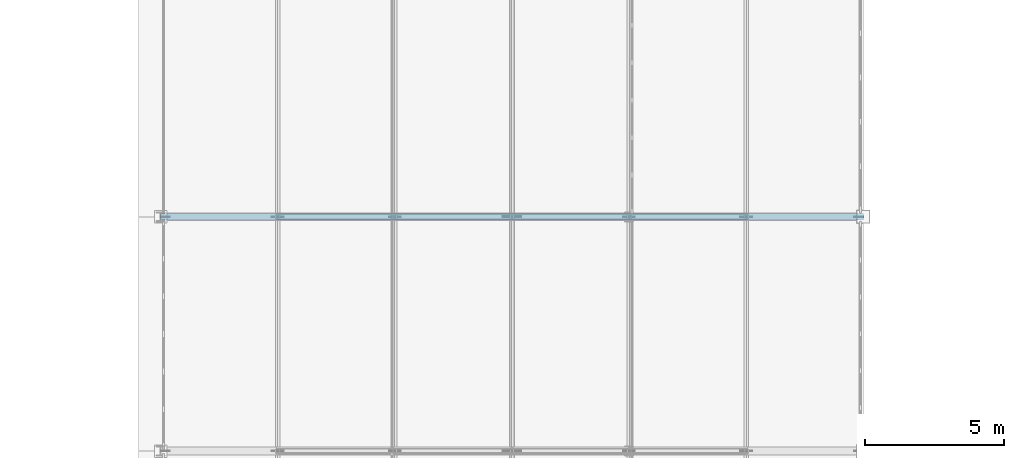
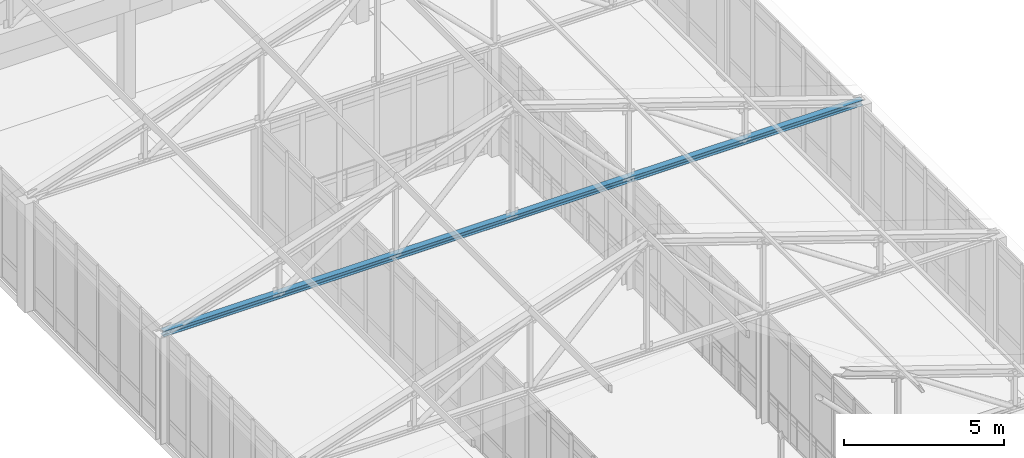
# One storey, part 76 of 192: 1 member.
"""IFC4 building model written with IfcOpenShell, lengths in metres."""

from ifc_helpers import new_model, si_unit, direction, frame, origin, origin_2d, place, context, subcontext, project, spatial, i_section, extrude, material, material_profile, profile_set, type_object, element, save


model = new_model("IFC4")

# Units and contexts
model_context = context("Model", 3, precision=1e-05, world=origin(), true_north=direction((0.0, 1.0)))
body_context = subcontext(model_context, "Body", "Model", "MODEL_VIEW")
ifc_project = project(units=[si_unit("LENGTHUNIT", "METRE"), si_unit("AREAUNIT", "SQUARE_METRE"), si_unit("VOLUMEUNIT", "CUBIC_METRE"), si_unit("PLANEANGLEUNIT", "RADIAN"), si_unit("MASSUNIT", "GRAM", prefix="KILO")], contexts=[model_context])

# Site, building, storey
site_placement = place(None, origin())
site = spatial("IfcSite", under=ifc_project, at=site_placement, CompositionType="ELEMENT")
building_placement = place(site_placement, origin())
building = spatial("IfcBuilding", under=site, at=building_placement, Name="Kveldsbrygga Polytechnic", CompositionType="ELEMENT")
storey_placement = place(building_placement, frame((0.0, 0.0, 5.43994140625)))
storey = spatial("IfcBuildingStorey", under=building, at=storey_placement, Name="L01", CompositionType="ELEMENT", Elevation=5.43994140625)

# Member
ifc_material = material(Name="Steel S355", Category="steel")
ifc_material_profile = material_profile(ifc_material, i_section(OverallWidth=0.219970703125, OverallDepth=0.2099609375, WebThickness=0.007080078125, FlangeThickness=0.010986328125, FilletRadius=0.01806640625, at=origin_2d()), Name="HEA 220")
ifc_profile_set = profile_set([ifc_material_profile], Name="Steel S355")
member_type = type_object("IfcMemberType", Name="TR-BOT-HEA220", PredefinedType="CHORD", material=ifc_profile_set)
member_placement = place(storey_placement, frame((50.39990234375, 67.199951171875, 4.1201171875), z_axis=(1.0, 0.0, 0.0), x_axis=(0.0, 1.0, 0.0)))
element("IfcMember", 1, at=member_placement, inside=storey, type_object=member_type, Name="Truss Bottom Chord V5C-T08-BC-1", PredefinedType="CHORD", context=body_context, shape_type="SweptSolid", body=[
    extrude(i_section(OverallWidth=0.219970703125, OverallDepth=0.2099609375, WebThickness=0.007080078125, FlangeThickness=0.010986328125, FilletRadius=0.01806640625, at=origin_2d()), origin(), (0.0, 0.0, 1.0), 25.2001953125),
])

save(model, "model.ifc")
